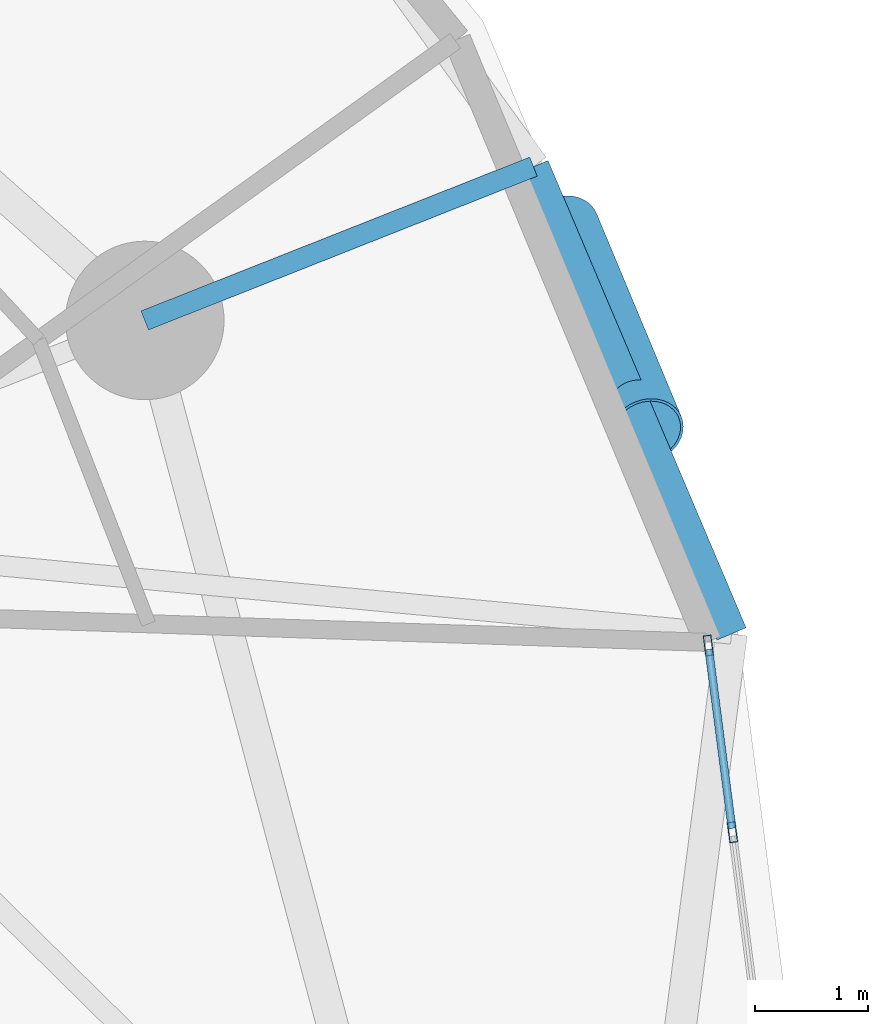
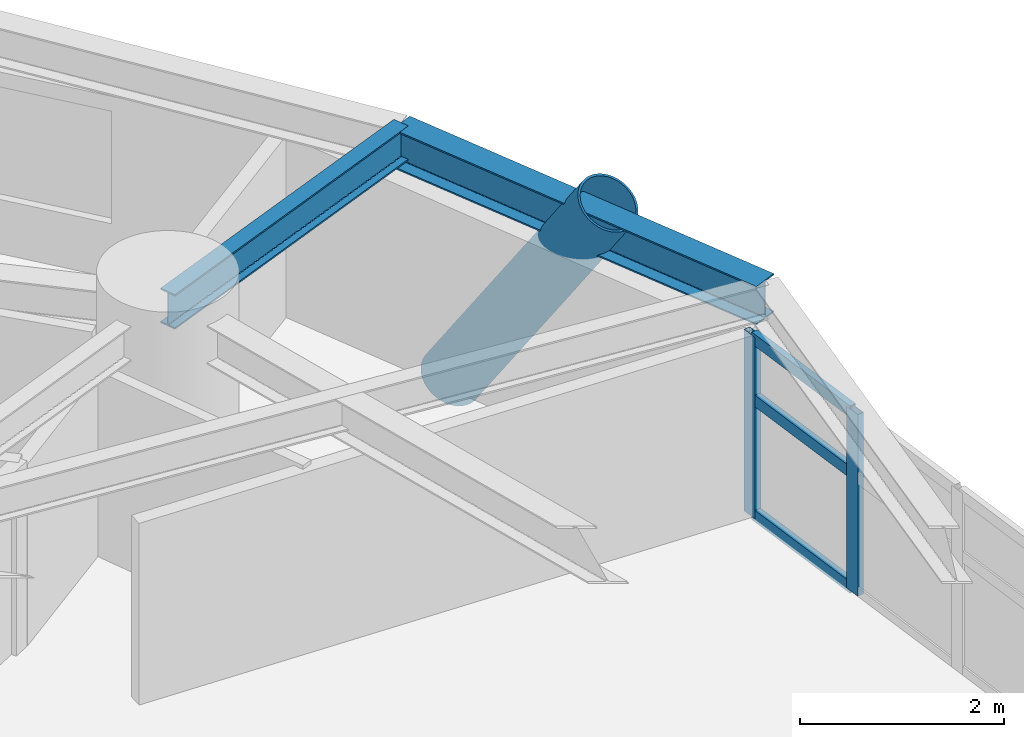
# One storey, part 4 of 18: 6 members, 2 beams, 1 element without a shape of its own.
"""IFC4 building model written with IfcOpenShell, lengths in metres."""

from ifc_helpers import new_model, si_unit, direction, frame, origin, origin_2d, place, context, subcontext, project, spatial, hollow_rectangle, hollow_circle, i_section, extrude, material, layer, layer_set, material_profile, profile_set, type_object, element, aggregate, save


model = new_model("IFC4")

# Units and contexts
model_context = context("Model", 3, precision=1e-05, world=origin(), true_north=direction((0.0, 1.0)))
body_context = subcontext(model_context, "Body", "Model", "MODEL_VIEW")
ifc_project = project(units=[si_unit("LENGTHUNIT", "METRE"), si_unit("AREAUNIT", "SQUARE_METRE"), si_unit("VOLUMEUNIT", "CUBIC_METRE"), si_unit("PLANEANGLEUNIT", "RADIAN"), si_unit("MASSUNIT", "GRAM", prefix="KILO")], contexts=[model_context])

# Site, building, storey
site_placement = place(None, origin())
site = spatial("IfcSite", under=ifc_project, at=site_placement, CompositionType="ELEMENT")
building_placement = place(site_placement, origin())
building = spatial("IfcBuilding", under=site, at=building_placement, Name="Cununo Teusaquillo Station Towers", CompositionType="ELEMENT")
storey_placement = place(building_placement, frame((0.0, 0.0, 105.070068359375)))
storey = spatial("IfcBuildingStorey", under=building, at=storey_placement, Name="L33", CompositionType="ELEMENT", Elevation=105.070068359375)

# Beams
ifc_material_1 = material(Name="Steel ASTM A572 Grade 50", Category="steel")
ifc_material_profile_1 = material_profile(ifc_material_1, i_section(OverallWidth=0.180908203125, OverallDepth=0.4169921875, WebThickness=0.010986328125, FlangeThickness=0.018310546875, FilletRadius=0.012939453125, at=origin_2d()), Name="W16X57")
ifc_profile_set_1 = profile_set([ifc_material_profile_1], Name="Steel ASTM A572 Grade 50")
beam_type_1 = type_object("IfcBeamType", Name="BM-RAD-G2", PredefinedType="BEAM", material=ifc_profile_set_1)
beam_1_placement = place(storey_placement, frame((26.347412109375, 33.228515625, 2.46142578125), z_axis=(0.929861788731, 0.367909029323, 0.0), x_axis=(-0.367909029323, 0.929861788731, 0.0)))
element("IfcBeam", 1, at=beam_1_placement, inside=storey, type_object=beam_type_1, Name="L33 Tower A Perimeter Overhang Girder 02B", PredefinedType="BEAM", context=body_context, shape_type="SweptSolid", body=[
    extrude(i_section(OverallWidth=0.180908203125, OverallDepth=0.4169921875, WebThickness=0.010986328125, FlangeThickness=0.018310546875, FilletRadius=0.012939453125, at=origin_2d()), origin(), (0.0, 0.0, 1.0), 3.690185546875),
])
ifc_material_2 = material(Name="Steel ASTM A572 Grade 50", Category="steel")
ifc_material_profile_2 = material_profile(ifc_material_2, i_section(OverallWidth=0.280029296875, OverallDepth=0.462890625, WebThickness=0.0107421875, FlangeThickness=0.017333984375, FilletRadius=0.013916015625, at=origin_2d()), Name="W18X76")
ifc_profile_set_2 = profile_set([ifc_material_profile_2], Name="Steel ASTM A572 Grade 50")
beam_type_2 = type_object("IfcBeamType", Name="BM-RING-Z2", PredefinedType="SPANDREL", material=ifc_profile_set_2)
beam_2_placement = place(storey_placement, frame((31.527587890625, 30.4609375, 2.4384765625), z_axis=(-0.390299356049, 0.920688010494, 0.0), x_axis=(-0.920688010494, -0.390299356049, 0.0)))
element("IfcBeam", 2, at=beam_2_placement, inside=storey, type_object=beam_type_2, Name="L33 Tower A Spandrel Ring Beam 02", PredefinedType="SPANDREL", context=body_context, shape_type="SweptSolid", body=[
    extrude(i_section(OverallWidth=0.280029296875, OverallDepth=0.462890625, WebThickness=0.0107421875, FlangeThickness=0.017333984375, FilletRadius=0.013916015625, at=origin_2d()), origin(), (0.0, 0.0, 1.0), 4.480712890625),
])

# Curtain wall, members
ifc_material_3 = material(Name="Ceramic-fritted dark low-E double glazing", Category="glass")
ifc_layer = layer(ifc_material_3, 0.179931640625)
ifc_layer_set = layer_set([ifc_layer], Name="Ceramic-fritted dark low-E double glazing")
curtain_wall_type = type_object("IfcCurtainWallType", Name="CW-SYS-04", PredefinedType="USERDEFINED", material=ifc_layer_set)
curtain_wall_placement = place(storey_placement, origin())
curtain_wall = element("IfcCurtainWall", 3, at=curtain_wall_placement, inside=storey, type_object=curtain_wall_type, Name="L33 Tower A Facade Curtain Wall C00", ObjectType="FRITTED GLAZING", PredefinedType="USERDEFINED")
ifc_material_4 = material(Name="Anodised dark bronze aluminium EN AW-6063-T6", Category="aluminium")
ifc_material_profile_3 = material_profile(ifc_material_4, hollow_rectangle(XDim=0.070068359375, YDim=0.179931640625, WallThickness=0.00390625, at=origin_2d()), Name="CW-MULL-70x180")
ifc_profile_set_3 = profile_set([ifc_material_profile_3], Name="Anodised dark bronze aluminium EN AW-6063-T6")
member_type_1 = type_object("IfcMemberType", Name="CWM-180", PredefinedType="MULLION", material=ifc_profile_set_3)
member_1_placement = place(storey_placement, frame((31.322998046875, 30.3583984375, 0.0), z_axis=(0.0, 0.0, 1.0), x_axis=(0.991730764367, 0.128335852387, 0.0)))
member_1 = element("IfcMember", 4, at=member_1_placement, type_object=member_type_1, Name="CW-04 mullion 1", PredefinedType="MULLION", context=body_context, shape_type="SweptSolid", body=[
    extrude(hollow_rectangle(XDim=0.070068359375, YDim=0.179931640625, WallThickness=0.00390625, at=origin_2d()), origin(), (0.0, 0.0, 1.0), 2.178955078125),
])
member_2_placement = place(storey_placement, frame((31.5361328125, 28.709716796875, 0.0), z_axis=(0.0, 0.0, 1.0), x_axis=(0.991730764367, 0.128335852387, 0.0)))
member_2 = element("IfcMember", 5, at=member_2_placement, type_object=member_type_1, Name="CW-04 mullion 2", PredefinedType="MULLION", context=body_context, shape_type="SweptSolid", body=[
    extrude(hollow_rectangle(XDim=0.070068359375, YDim=0.179931640625, WallThickness=0.00390625, at=origin_2d()), origin(), (0.0, 0.0, 1.0), 2.178955078125),
])
ifc_material_5 = material(Name="Anodised dark bronze aluminium EN AW-6063-T6", Category="aluminium")
ifc_material_profile_4 = material_profile(ifc_material_5, hollow_rectangle(XDim=0.070068359375, YDim=0.139892578125, WallThickness=0.00390625, at=origin_2d()), Name="CW-TRAN-70x140")
ifc_profile_set_4 = profile_set([ifc_material_profile_4], Name="Anodised dark bronze aluminium EN AW-6063-T6")
member_type_2 = type_object("IfcMemberType", Name="CWT-140", PredefinedType="USERDEFINED", material=ifc_profile_set_4)
member_3_placement = place(storey_placement, frame((31.327392578125, 30.323486328125, 0.034912109375), z_axis=(0.128336210724, -0.991730717996, 0.0), x_axis=(0.991730717996, 0.128336210724, 0.0)))
member_3 = element("IfcMember", 6, at=member_3_placement, type_object=member_type_2, Name="CW-04 transom 1.1", ObjectType="TRANSOM", PredefinedType="USERDEFINED", context=body_context, shape_type="SweptSolid", body=[
    extrude(hollow_rectangle(XDim=0.070068359375, YDim=0.139892578125, WallThickness=0.00390625, at=origin_2d()), origin(), (0.0, 0.0, 1.0), 1.59228515625),
])
member_4_placement = place(storey_placement, frame((31.327392578125, 30.323486328125, 1.416015625), z_axis=(0.128336210724, -0.991730717996, 0.0), x_axis=(0.991730717996, 0.128336210724, 0.0)))
member_4 = element("IfcMember", 7, at=member_4_placement, type_object=member_type_2, Name="CW-04 transom 1.2", ObjectType="TRANSOM", PredefinedType="USERDEFINED", context=body_context, shape_type="SweptSolid", body=[
    extrude(hollow_rectangle(XDim=0.070068359375, YDim=0.139892578125, WallThickness=0.00390625, at=origin_2d()), origin(), (0.0, 0.0, 1.0), 1.59228515625),
])
member_5_placement = place(storey_placement, frame((31.327392578125, 30.323486328125, 2.14404296875), z_axis=(0.128336210724, -0.991730717996, 0.0), x_axis=(0.991730717996, 0.128336210724, 0.0)))
member_5 = element("IfcMember", 8, at=member_5_placement, type_object=member_type_2, Name="CW-04 transom 1.3", ObjectType="TRANSOM", PredefinedType="USERDEFINED", context=body_context, shape_type="SweptSolid", body=[
    extrude(hollow_rectangle(XDim=0.070068359375, YDim=0.139892578125, WallThickness=0.00390625, at=origin_2d()), origin(), (0.0, 0.0, 1.0), 1.59228515625),
])
aggregate(curtain_wall, [member_1, member_2, member_3, member_4, member_5])

# Member
ifc_material_6 = material(Name="Steel EN 10025-2 S355J2", Category="steel")
ifc_material_profile_5 = material_profile(ifc_material_6, hollow_circle(Radius=0.330078125, WallThickness=0.02490234375, at=origin_2d()), Name="CHS 660x25")
ifc_profile_set_5 = profile_set([ifc_material_profile_5], Name="Steel EN 10025-2 S355J2")
member_type_3 = type_object("IfcMemberType", Name="MBR-DIAG-Z2", PredefinedType="BRACE", material=ifc_profile_set_5)
member_6_placement = place(storey_placement, frame((30.031494140625, 34.0458984375, -0.14013671875), z_axis=(0.213801258435, -0.512313589893, 0.831759464931), x_axis=(0.922861086318, 0.385132983993, 0.0)))
element("IfcMember", 9, at=member_6_placement, inside=storey, type_object=member_type_3, Name="L33 Tower A Folded-Zigzag Diagrid Tube C01", PredefinedType="BRACE", context=body_context, shape_type="SweptSolid", body=[
    extrude(hollow_circle(Radius=0.330078125, WallThickness=0.02490234375, at=origin_2d()), origin(), (0.0, 0.0, 1.0), 3.498779296875),
])

save(model, "model.ifc")
